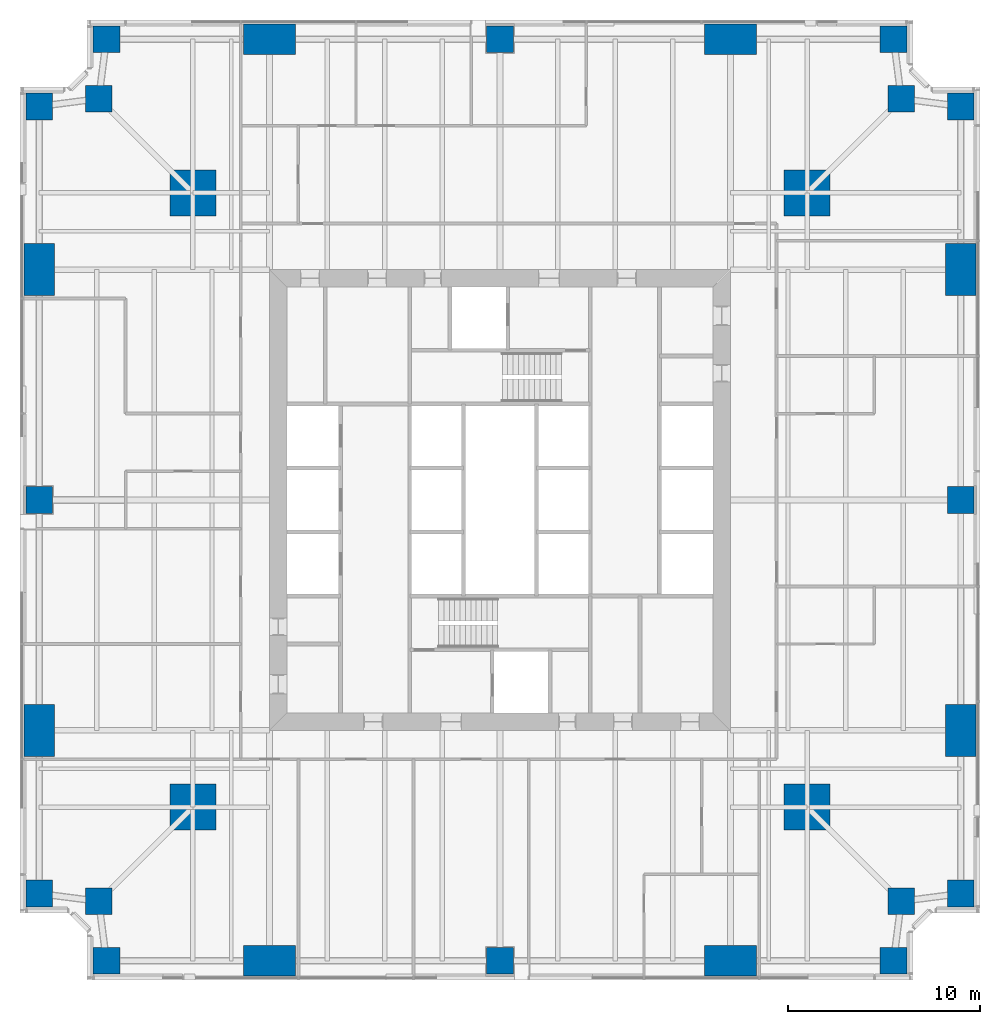
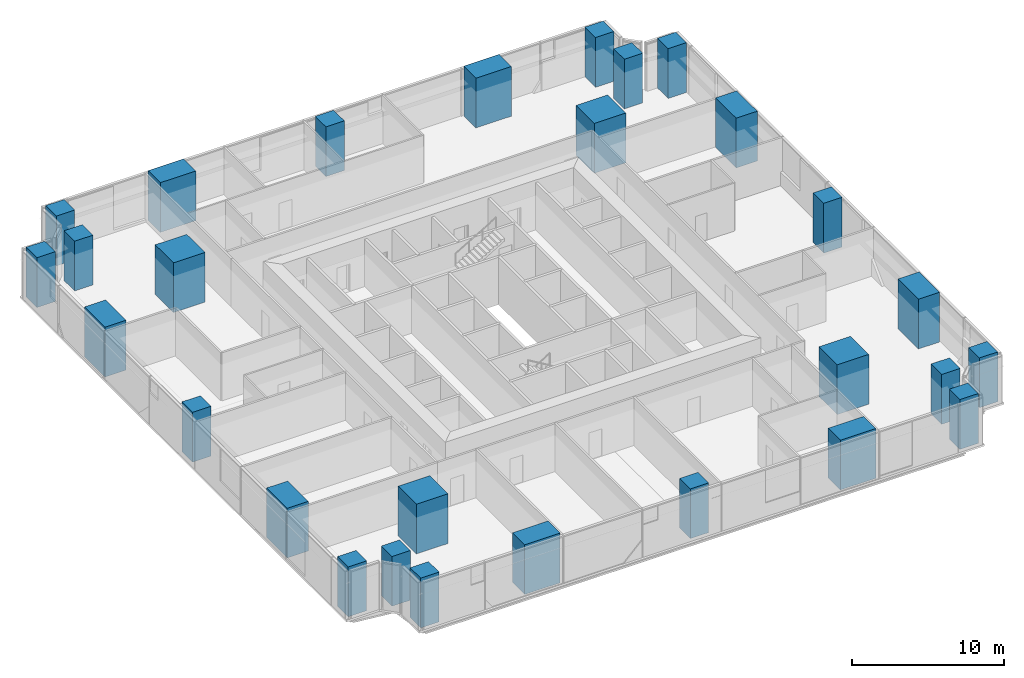
# One storey, part 1 of 13: 28 columns.
"""IFC4 building model written with IfcOpenShell, lengths in metres."""

from ifc_helpers import new_model, si_unit, direction, frame, origin, origin_2d, place, context, subcontext, project, spatial, rectangle, extrude, material, material_profile, profile_set, type_object, element, save


model = new_model("IFC4")

# Units and contexts
model_context = context("Model", 3, precision=1e-05, world=origin(), true_north=direction((0.0, 1.0)))
body_context = subcontext(model_context, "Body", "Model", "MODEL_VIEW")
ifc_project = project(units=[si_unit("LENGTHUNIT", "METRE"), si_unit("AREAUNIT", "SQUARE_METRE"), si_unit("VOLUMEUNIT", "CUBIC_METRE"), si_unit("PLANEANGLEUNIT", "RADIAN"), si_unit("MASSUNIT", "GRAM", prefix="KILO")], contexts=[model_context])

# Site, building, storey
site_placement = place(None, origin())
site = spatial("IfcSite", under=ifc_project, at=site_placement, CompositionType="ELEMENT")
building_placement = place(site_placement, origin())
building = spatial("IfcBuilding", under=site, at=building_placement, Name="Fenwick Lantern Interchange", CompositionType="ELEMENT")
storey_placement = place(building_placement, frame((0.0, 0.0, 63.0)))
storey = spatial("IfcBuildingStorey", under=building, at=storey_placement, Name="L14", CompositionType="ELEMENT", Elevation=63.0)

# Columns
ifc_material = material(Name="Concrete f'c 70 MPa", Category="concrete")
ifc_material_profile_1 = material_profile(ifc_material, rectangle(XDim=2.39990234375, YDim=2.39990234375, at=origin_2d()), Name="RC2400X2400")
ifc_profile_set_1 = profile_set([ifc_material_profile_1], Name="Concrete f'c 70 MPa")
column_type_1 = type_object("IfcColumnType", Name="MEGA COLUMN RC2400X2400", PredefinedType="COLUMN", material=ifc_profile_set_1)
for number, where, z_axis, x_axis, name in (
    (1, (9.0, 9.0, 0.0), (0.0, 0.0, 1.0), (1.0, 0.0, 0.0), "L14/M1"),
    (2, (41.0, 9.0, 0.0), (0.0, 0.0, 1.0), (1.0, 0.0, 0.0), "L14/M2"),
    (3, (41.0, 41.0, 0.0), (0.0, 0.0, 1.0), (1.0, 0.0, 0.0), "L14/M3"),
    (4, (9.0, 41.0, 0.0), (0.0, 0.0, 1.0), (1.0, 0.0, 0.0), "L14/M4"),
):
    element("IfcColumn", number, at=place(storey_placement, frame(where, z_axis=z_axis, x_axis=x_axis)), inside=storey, type_object=column_type_1, Name=name, PredefinedType="COLUMN", context=body_context, shape_type="SweptSolid", body=[
        extrude(rectangle(XDim=2.39990234375, YDim=2.39990234375, at=origin_2d()), origin(), (0.0, 0.0, 1.0), 4.0),
    ])
ifc_material_profile_2 = material_profile(ifc_material, rectangle(XDim=1.39990234375, YDim=1.39990234375, at=origin_2d()), Name="RC1400X1400")
ifc_profile_set_2 = profile_set([ifc_material_profile_2], Name="Concrete f'c 70 MPa")
column_type_2 = type_object("IfcColumnType", Name="PERIMETER COLUMN RC1400X1400", PredefinedType="COLUMN", material=ifc_profile_set_2)
for number, where, z_axis, x_axis, name in (
    (5, (4.5, 1.0, 0.0), (0.0, 0.0, 1.0), (1.0, 0.0, 0.0), "L14/CS1"),
    (6, (25.0, 1.0, 0.0), (0.0, 0.0, 1.0), (1.0, 0.0, 0.0), "L14/CS3"),
    (7, (45.5, 1.0, 0.0), (0.0, 0.0, 1.0), (1.0, 0.0, 0.0), "L14/CS5"),
    (8, (45.89990234375, 4.10009765625, 0.0), (0.0, 0.0, 1.0), (1.0, 0.0, 0.0), "L14/CSR"),
    (9, (49.0, 4.5, 0.0), (0.0, 0.0, 1.0), (1.0, 0.0, 0.0), "L14/CE1"),
    (10, (49.0, 25.0, 0.0), (0.0, 0.0, 1.0), (1.0, 0.0, 0.0), "L14/CE3"),
    (11, (49.0, 45.5, 0.0), (0.0, 0.0, 1.0), (1.0, 0.0, 0.0), "L14/CE5"),
    (12, (45.89990234375, 45.89990234375, 0.0), (0.0, 0.0, 1.0), (1.0, 0.0, 0.0), "L14/CER"),
    (13, (45.5, 49.0, 0.0), (0.0, 0.0, 1.0), (1.0, 0.0, 0.0), "L14/CN1"),
    (14, (25.0, 49.0, 0.0), (0.0, 0.0, 1.0), (1.0, 0.0, 0.0), "L14/CN3"),
    (15, (4.5, 49.0, 0.0), (0.0, 0.0, 1.0), (1.0, 0.0, 0.0), "L14/CN5"),
    (16, (4.10009765625, 45.89990234375, 0.0), (0.0, 0.0, 1.0), (1.0, 0.0, 0.0), "L14/CNR"),
    (17, (1.0, 45.5, 0.0), (0.0, 0.0, 1.0), (1.0, 0.0, 0.0), "L14/CW1"),
    (18, (1.0, 25.0, 0.0), (0.0, 0.0, 1.0), (1.0, 0.0, 0.0), "L14/CW3"),
    (19, (1.0, 4.5, 0.0), (0.0, 0.0, 1.0), (1.0, 0.0, 0.0), "L14/CW5"),
    (20, (4.10009765625, 4.10009765625, 0.0), (0.0, 0.0, 1.0), (1.0, 0.0, 0.0), "L14/CWR"),
):
    element("IfcColumn", number, at=place(storey_placement, frame(where, z_axis=z_axis, x_axis=x_axis)), inside=storey, type_object=column_type_2, Name=name, PredefinedType="COLUMN", context=body_context, shape_type="SweptSolid", body=[
        extrude(rectangle(XDim=1.39990234375, YDim=1.39990234375, at=origin_2d()), origin(), (0.0, 0.0, 1.0), 4.0),
    ])
ifc_material_profile_3 = material_profile(ifc_material, rectangle(XDim=1.60009765625, YDim=2.699951171875, at=origin_2d()), Name="RC1600X2700")
ifc_profile_set_3 = profile_set([ifc_material_profile_3], Name="Concrete f'c 70 MPa")
column_type_3 = type_object("IfcColumnType", Name="PERIMETER COLUMN RC1600X2700", PredefinedType="COLUMN", material=ifc_profile_set_3)
for number, where, z_axis, x_axis, name in (
    (21, (49.0, 13.0, 0.0), (0.0, 0.0, 1.0), (1.0, 0.0, 0.0), "L14/CE2"),
    (22, (49.0, 37.0, 0.0), (0.0, 0.0, 1.0), (1.0, 0.0, 0.0), "L14/CE4"),
    (23, (1.0, 37.0, 0.0), (0.0, 0.0, 1.0), (1.0, 0.0, 0.0), "L14/CW2"),
    (24, (1.0, 13.0, 0.0), (0.0, 0.0, 1.0), (1.0, 0.0, 0.0), "L14/CW4"),
):
    element("IfcColumn", number, at=place(storey_placement, frame(where, z_axis=z_axis, x_axis=x_axis)), inside=storey, type_object=column_type_3, Name=name, PredefinedType="COLUMN", context=body_context, shape_type="SweptSolid", body=[
        extrude(rectangle(XDim=1.60009765625, YDim=2.699951171875, at=origin_2d()), origin(), (0.0, 0.0, 1.0), 4.0),
    ])
ifc_material_profile_4 = material_profile(ifc_material, rectangle(XDim=2.699951171875, YDim=1.60009765625, at=origin_2d()), Name="RC2700X1600")
ifc_profile_set_4 = profile_set([ifc_material_profile_4], Name="Concrete f'c 70 MPa")
column_type_4 = type_object("IfcColumnType", Name="PERIMETER COLUMN RC2700X1600", PredefinedType="COLUMN", material=ifc_profile_set_4)
for number, where, z_axis, x_axis, name in (
    (25, (13.0, 1.0, 0.0), (0.0, 0.0, 1.0), (1.0, 0.0, 0.0), "L14/CS2"),
    (26, (37.0, 1.0, 0.0), (0.0, 0.0, 1.0), (1.0, 0.0, 0.0), "L14/CS4"),
    (27, (37.0, 49.0, 0.0), (0.0, 0.0, 1.0), (1.0, 0.0, 0.0), "L14/CN2"),
    (28, (13.0, 49.0, 0.0), (0.0, 0.0, 1.0), (1.0, 0.0, 0.0), "L14/CN4"),
):
    element("IfcColumn", number, at=place(storey_placement, frame(where, z_axis=z_axis, x_axis=x_axis)), inside=storey, type_object=column_type_4, Name=name, PredefinedType="COLUMN", context=body_context, shape_type="SweptSolid", body=[
        extrude(rectangle(XDim=2.699951171875, YDim=1.60009765625, at=origin_2d()), origin(), (0.0, 0.0, 1.0), 4.0),
    ])

save(model, "model.ifc")
